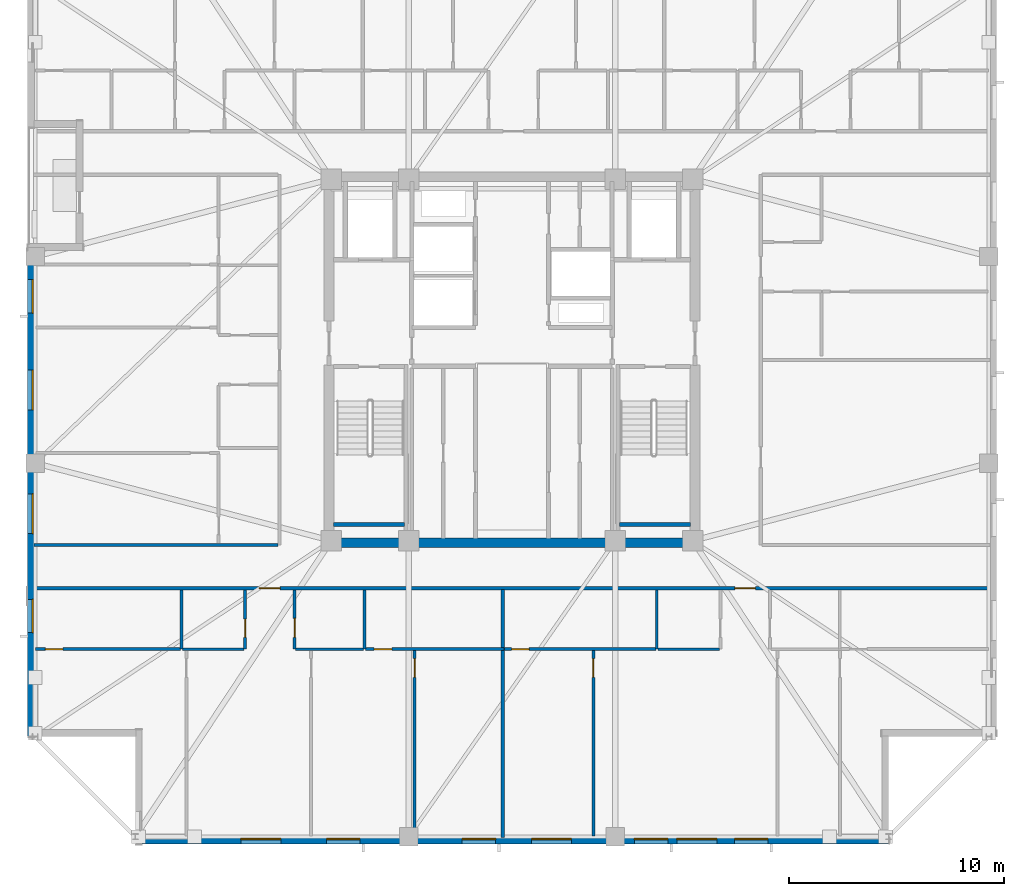
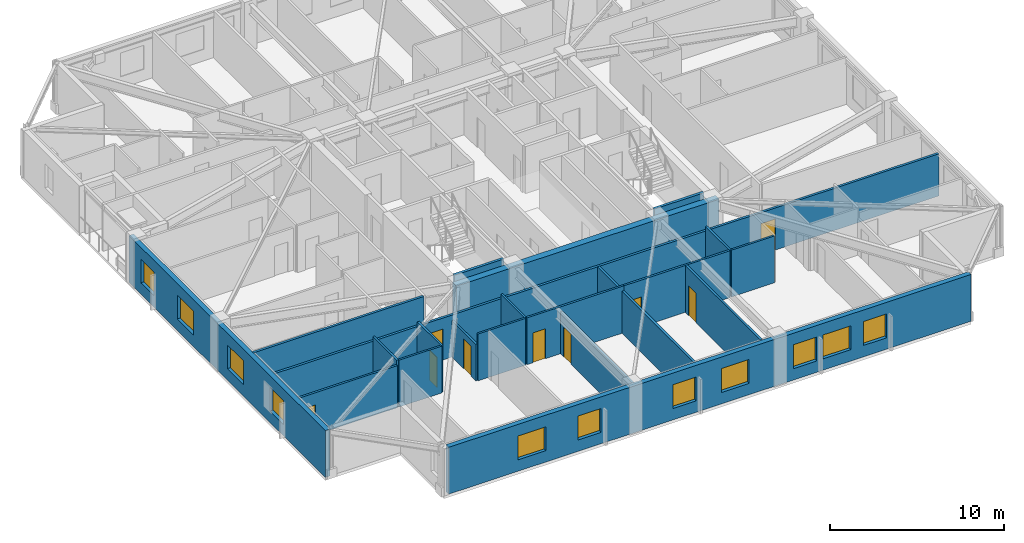
# One storey, part 7 of 17: 21 walls, 11 windows, 9 doors, 20 openings.
"""IFC4 building model written with IfcOpenShell, lengths in metres."""

from ifc_helpers import new_model, si_unit, direction, frame, frame_2d, origin, place, context, subcontext, project, spatial, rectangle, extrude, material, layer, layer_set, type_object, element, fill, save


model = new_model("IFC4")

# Units and contexts
model_context = context("Model", 3, precision=1e-05, world=origin(), true_north=direction((0.0, 1.0)))
body_context = subcontext(model_context, "Body", "Model", "MODEL_VIEW")
ifc_project = project(units=[si_unit("LENGTHUNIT", "METRE"), si_unit("AREAUNIT", "SQUARE_METRE"), si_unit("VOLUMEUNIT", "CUBIC_METRE"), si_unit("PLANEANGLEUNIT", "RADIAN"), si_unit("MASSUNIT", "GRAM", prefix="KILO")], contexts=[model_context])

# Site, building, storey
site_placement = place(None, origin())
site = spatial("IfcSite", under=ifc_project, at=site_placement, CompositionType="ELEMENT")
building_placement = place(site_placement, origin())
building = spatial("IfcBuilding", under=site, at=building_placement, Name="Cairnveth Concourse Tower", CompositionType="ELEMENT")
storey_placement = place(building_placement, frame((0.0, 0.0, 227.0)))
storey = spatial("IfcBuildingStorey", under=building, at=storey_placement, Name="L62", CompositionType="ELEMENT", Elevation=227.0)

# Wall, openings, doors
ifc_material_1 = material(Name="Gypsum Plasterboard Partition", Category="gypsum")
ifc_layer_1 = layer(ifc_material_1, 0.159912109375)
ifc_layer_set_1 = layer_set([ifc_layer_1], Name="Gypsum Plasterboard Partition")
wall_type_1 = type_object("IfcWallType", Name="ACOUSTIC PARTY WALL 180", PredefinedType="PARTITIONING", material=ifc_layer_set_1)
wall_1_placement = place(storey_placement, frame((29.804931640625, 28.387451171875, 0.0), z_axis=(0.0, 0.0, 1.0), x_axis=(1.0, 0.0, 0.0)))
wall_1 = element("IfcWall", 1, at=wall_1_placement, inside=storey, type_object=wall_type_1, Name="Interior Wall IW-L62-036", PredefinedType="PARTITIONING", context=body_context, shape_type="SweptSolid", body=[
    extrude(rectangle(XDim=44.39013671875, YDim=0.159912109375, at=frame_2d((22.195068359375, 0.0))), origin(), (0.0, 0.0, 1.0), 2.9580078125),
])
opening_1_placement = place(wall_1_placement, frame((10.463623046875, 0.0, 0.0)))
opening_1 = element("IfcOpeningElement", 2, at=opening_1_placement, cuts=wall_1, Name="Opening ID10", PredefinedType="OPENING", context=body_context, shape_type="SweptSolid", body=[
    extrude(rectangle(XDim=0.9599609375, YDim=2.179931640625, at=frame_2d((0.47998046875, 1.08984375))), frame((0.0, 0.08984375, 0.0), z_axis=(0.0, -1.0, 0.0), x_axis=(1.0, 0.0, 0.0)), (0.0, 0.0, 1.0), 0.179931640625),
])
opening_2_placement = place(wall_1_placement, frame((32.543701171875, 0.0, 0.0)))
opening_2 = element("IfcOpeningElement", 3, at=opening_2_placement, cuts=wall_1, Name="Opening ID10", PredefinedType="OPENING", context=body_context, shape_type="SweptSolid", body=[
    extrude(rectangle(XDim=0.9599609375, YDim=2.179931640625, at=frame_2d((0.47998046875, 1.08984375))), frame((0.0, 0.08984375, 0.0), z_axis=(0.0, -1.0, 0.0), x_axis=(1.0, 0.0, 0.0)), (0.0, 0.0, 1.0), 0.179931640625),
])
ifc_material_2 = material(Name="Solid Core Hardwood Timber Leaf", Category="wood")
door_type_1 = type_object("IfcDoorType", Name="FLAT ENTRANCE DOOR 960X2150", OperationType="NOTDEFINED", PredefinedType="DOOR", material=ifc_material_2)
door_1_placement = place(opening_1_placement, origin())
door_1 = element("IfcDoor", 4, at=door_1_placement, inside=storey, type_object=door_type_1, Name="Apartment L62S1 Entrance Door", OperationType="SINGLE_SWING_RIGHT", OverallHeight=2.179931640625, OverallWidth=0.9599609375, PredefinedType="DOOR", context=body_context, shape_type="SweptSolid", body=[
    extrude(rectangle(XDim=0.9599609375, YDim=2.179931640625, at=frame_2d((0.47998046875, 1.08984375))), frame((0.0, 0.02490234375, 0.0), z_axis=(0.0, -1.0, 0.0), x_axis=(1.0, 0.0, 0.0)), (0.0, 0.0, 1.0), 0.050048828125),
])
fill(opening_1, door_1)
door_2_placement = place(opening_2_placement, origin())
door_2 = element("IfcDoor", 5, at=door_2_placement, inside=storey, type_object=door_type_1, Name="Apartment L62S2 Entrance Door", OperationType="SINGLE_SWING_RIGHT", OverallHeight=2.179931640625, OverallWidth=0.9599609375, PredefinedType="DOOR", context=body_context, shape_type="SweptSolid", body=[
    extrude(rectangle(XDim=0.9599609375, YDim=2.179931640625, at=frame_2d((0.47998046875, 1.08984375))), frame((0.0, 0.02490234375, 0.0), z_axis=(0.0, -1.0, 0.0), x_axis=(1.0, 0.0, 0.0)), (0.0, 0.0, 1.0), 0.050048828125),
])
fill(opening_2, door_2)

# Walls
wall_2_placement = place(storey_placement, frame((29.804931640625, 30.39990234375, 0.0), z_axis=(0.0, 0.0, 1.0), x_axis=(1.0, 0.0, 0.0)))
element("IfcWall", 6, at=wall_2_placement, inside=storey, type_object=wall_type_1, Name="Interior Wall IW-L62-040", PredefinedType="PARTITIONING", context=body_context, shape_type="SweptSolid", body=[
    extrude(rectangle(XDim=11.330078125, YDim=0.159912109375, at=frame_2d((5.6650390625, 0.0))), origin(), (0.0, 0.0, 1.0), 3.2900390625),
])
wall_3_placement = place(storey_placement, frame((51.577392578125, 16.804931640625, 0.0), z_axis=(0.0, 0.0, 1.0), x_axis=(0.0, 1.0, 0.0)))
element("IfcWall", 7, at=wall_3_placement, inside=storey, type_object=wall_type_1, Name="Interior Wall IW-L62-055", PredefinedType="PARTITIONING", context=body_context, shape_type="SweptSolid", body=[
    extrude(rectangle(XDim=11.517578125, YDim=0.159912109375, at=frame_2d((5.7587890625, 0.0))), origin(), (0.0, 0.0, 1.0), 2.9580078125),
])
ifc_material_3 = material(Name="Concrete N65 (65 MPa)", Category="concrete")
ifc_layer_2 = layer(ifc_material_3, 0.449951171875)
ifc_layer_set_2 = layer_set([ifc_layer_2], Name="Concrete N65 (65 MPa)")
wall_type_2 = type_object("IfcWallType", Name="CORE SHEAR WALL 450", PredefinedType="SHEAR", material=ifc_layer_set_2)
wall_4_placement = place(storey_placement, frame((43.27490234375, 30.5, 0.0), z_axis=(0.0, 0.0, 1.0), x_axis=(1.0, 0.0, 0.0)))
element("IfcWall", 8, at=wall_4_placement, inside=storey, type_object=wall_type_2, Name="Core South Shear Wall L62", PredefinedType="SHEAR", context=body_context, shape_type="SweptSolid", body=[
    extrude(rectangle(XDim=17.4501953125, YDim=0.449951171875, at=frame_2d((8.72509765625, 0.0))), origin(), (0.0, 0.0, 1.0), 3.2900390625),
])
ifc_material_4 = material(Name="Concrete N50 (50 MPa)", Category="concrete")
ifc_layer_3 = layer(ifc_material_4, 0.179931640625)
ifc_layer_set_3 = layer_set([ifc_layer_3], Name="Concrete N50 (50 MPa)")
wall_type_3 = type_object("IfcWallType", Name="FIRE SHAFT WALL 180", PredefinedType="SOLIDWALL", material=ifc_layer_set_3)
for number, where, z_axis, x_axis, name in (
    (9, (43.715087890625, 31.360107421875, 0.0), (0.0, 0.0, 1.0), (1.0, 0.0, 0.0), "Stair ST-1 Shaft Wall FAR L62"),
    (10, (57.0048828125, 31.360107421875, 0.0), (0.0, 0.0, 1.0), (1.0, 0.0, 0.0), "Stair ST-2 Shaft Wall FAR L62"),
):
    element("IfcWall", number, at=place(storey_placement, frame(where, z_axis=z_axis, x_axis=x_axis)), inside=storey, type_object=wall_type_3, Name=name, PredefinedType="SOLIDWALL", context=body_context, shape_type="SweptSolid", body=[
        extrude(rectangle(XDim=3.280029296875, YDim=0.179931640625, at=frame_2d((1.64013671875, 0.0))), origin(), (0.0, 0.0, 1.0), 3.2900390625),
    ])

# Wall, opening, door
ifc_layer_4 = layer(ifc_material_1, 0.139892578125)
ifc_layer_set_4 = layer_set([ifc_layer_4], Name="Gypsum Plasterboard Partition")
wall_type_4 = type_object("IfcWallType", Name="GYPSUM STUD PARTITION 140", PredefinedType="PARTITIONING", material=ifc_layer_set_4)
wall_5_placement = place(storey_placement, frame((29.8701171875, 25.5576171875, 0.0), z_axis=(0.0, 0.0, 1.0), x_axis=(1.0, 0.0, 0.0)))
wall_5 = element("IfcWall", 11, at=wall_5_placement, inside=storey, type_object=wall_type_4, Name="Interior Wall IW-L62-051", PredefinedType="PARTITIONING", context=body_context, shape_type="SweptSolid", body=[
    extrude(rectangle(XDim=6.728759765625, YDim=0.139892578125, at=frame_2d((3.3642578125, 0.0))), origin(), (0.0, 0.0, 1.0), 2.9580078125),
])
opening_3_placement = place(wall_5_placement, frame((0.449951171875, 0.0, 0.0)))
opening_3 = element("IfcOpeningElement", 12, at=opening_3_placement, cuts=wall_5, Name="Opening ID22", PredefinedType="OPENING", context=body_context, shape_type="SweptSolid", body=[
    extrude(rectangle(XDim=0.820068359375, YDim=2.10009765625, at=frame_2d((0.41015625, 1.050048828125))), frame((0.0, 0.079833984375, 0.0), z_axis=(0.0, -1.0, 0.0), x_axis=(1.0, 0.0, 0.0)), (0.0, 0.0, 1.0), 0.159912109375),
])
door_type_2 = type_object("IfcDoorType", Name="INTERIOR WC DOOR 820X2100", OperationType="NOTDEFINED", PredefinedType="DOOR", material=ifc_material_2)
door_3_placement = place(opening_3_placement, origin())
door_3 = element("IfcDoor", 13, at=door_3_placement, inside=storey, type_object=door_type_2, Name="L62S1 Dressing Door", OperationType="SINGLE_SWING_LEFT", OverallHeight=2.10009765625, OverallWidth=0.820068359375, PredefinedType="DOOR", context=body_context, shape_type="SweptSolid", body=[
    extrude(rectangle(XDim=0.820068359375, YDim=2.10009765625, at=frame_2d((0.41015625, 1.050048828125))), frame((0.0, 0.02490234375, 0.0), z_axis=(0.0, -1.0, 0.0), x_axis=(1.0, 0.0, 0.0)), (0.0, 0.0, 1.0), 0.050048828125),
])
fill(opening_3, door_3)

wall_6_placement = place(storey_placement, frame((47.4775390625, 16.8798828125, 0.0), z_axis=(0.0, 0.0, 1.0), x_axis=(0.0, 1.0, 0.0)))
wall_6 = element("IfcWall", 14, at=wall_6_placement, inside=storey, type_object=wall_type_4, Name="Interior Wall IW-L62-052", PredefinedType="PARTITIONING", context=body_context, shape_type="SweptSolid", body=[
    extrude(rectangle(XDim=8.717529296875, YDim=0.139892578125, at=frame_2d((4.35888671875, 0.0))), origin(), (0.0, 0.0, 1.0), 2.9580078125),
])
opening_4_placement = place(wall_6_placement, frame((7.367431640625, 0.0, 0.0)))
opening_4 = element("IfcOpeningElement", 15, at=opening_4_placement, cuts=wall_6, Name="Opening ID18", PredefinedType="OPENING", context=body_context, shape_type="SweptSolid", body=[
    extrude(rectangle(XDim=0.8798828125, YDim=2.10009765625, at=frame_2d((0.43994140625, 1.050048828125))), frame((0.0, 0.079833984375, 0.0), z_axis=(0.0, -1.0, 0.0), x_axis=(1.0, 0.0, 0.0)), (0.0, 0.0, 1.0), 0.159912109375),
])
door_type_3 = type_object("IfcDoorType", Name="INTERIOR SINGLE DOOR 880X2100", OperationType="NOTDEFINED", PredefinedType="DOOR", material=ifc_material_2)
door_4_placement = place(opening_4_placement, origin())
door_4 = element("IfcDoor", 16, at=door_4_placement, inside=storey, type_object=door_type_3, Name="L62S1 Bedroom 2 Door", OperationType="SINGLE_SWING_RIGHT", OverallHeight=2.10009765625, OverallWidth=0.8798828125, PredefinedType="DOOR", context=body_context, shape_type="SweptSolid", body=[
    extrude(rectangle(XDim=0.8798828125, YDim=2.10009765625, at=frame_2d((0.43994140625, 1.050048828125))), frame((0.0, 0.02490234375, 0.0), z_axis=(0.0, -1.0, 0.0), x_axis=(1.0, 0.0, 0.0)), (0.0, 0.0, 1.0), 0.050048828125),
])
fill(opening_4, door_4)

wall_7_placement = place(storey_placement, frame((45.19873046875, 25.5576171875, 0.0), z_axis=(0.0, 0.0, 1.0), x_axis=(1.0, 0.0, 0.0)))
wall_7 = element("IfcWall", 17, at=wall_7_placement, inside=storey, type_object=wall_type_4, Name="Interior Wall IW-L62-053", PredefinedType="PARTITIONING", context=body_context, shape_type="SweptSolid", body=[
    extrude(rectangle(XDim=6.4287109375, YDim=0.139892578125, at=frame_2d((3.21435546875, 0.0))), origin(), (0.0, 0.0, 1.0), 3.2900390625),
])
opening_5_placement = place(wall_7_placement, frame((0.39990234375, 0.0, 0.0)))
opening_5 = element("IfcOpeningElement", 18, at=opening_5_placement, cuts=wall_7, Name="Opening ID22", PredefinedType="OPENING", context=body_context, shape_type="SweptSolid", body=[
    extrude(rectangle(XDim=0.820068359375, YDim=2.10009765625, at=frame_2d((0.41015625, 1.050048828125))), frame((0.0, 0.079833984375, 0.0), z_axis=(0.0, -1.0, 0.0), x_axis=(1.0, 0.0, 0.0)), (0.0, 0.0, 1.0), 0.159912109375),
])
door_5_placement = place(opening_5_placement, origin())
door_5 = element("IfcDoor", 19, at=door_5_placement, inside=storey, type_object=door_type_2, Name="L62S1 Utility Door", OperationType="SINGLE_SWING_LEFT", OverallHeight=2.10009765625, OverallWidth=0.820068359375, PredefinedType="DOOR", context=body_context, shape_type="SweptSolid", body=[
    extrude(rectangle(XDim=0.820068359375, YDim=2.10009765625, at=frame_2d((0.41015625, 1.050048828125))), frame((0.0, 0.02490234375, 0.0), z_axis=(0.0, -1.0, 0.0), x_axis=(1.0, 0.0, 0.0)), (0.0, 0.0, 1.0), 0.050048828125),
])
fill(opening_5, door_5)

wall_8_placement = place(storey_placement, frame((55.777587890625, 16.8798828125, 0.0), z_axis=(0.0, 0.0, 1.0), x_axis=(0.0, 1.0, 0.0)))
wall_8 = element("IfcWall", 20, at=wall_8_placement, inside=storey, type_object=wall_type_4, Name="Interior Wall IW-L62-062", PredefinedType="PARTITIONING", context=body_context, shape_type="SweptSolid", body=[
    extrude(rectangle(XDim=8.717529296875, YDim=0.139892578125, at=frame_2d((4.35888671875, 0.0))), origin(), (0.0, 0.0, 1.0), 3.2900390625),
])
opening_6_placement = place(wall_8_placement, frame((7.367431640625, 0.0, 0.0)))
opening_6 = element("IfcOpeningElement", 21, at=opening_6_placement, cuts=wall_8, Name="Opening ID18", PredefinedType="OPENING", context=body_context, shape_type="SweptSolid", body=[
    extrude(rectangle(XDim=0.8798828125, YDim=2.10009765625, at=frame_2d((0.43994140625, 1.050048828125))), frame((0.0, 0.079833984375, 0.0), z_axis=(0.0, -1.0, 0.0), x_axis=(1.0, 0.0, 0.0)), (0.0, 0.0, 1.0), 0.159912109375),
])
door_6_placement = place(opening_6_placement, origin())
door_6 = element("IfcDoor", 22, at=door_6_placement, inside=storey, type_object=door_type_3, Name="L62S2 Master Bedroom Door", OperationType="SINGLE_SWING_RIGHT", OverallHeight=2.10009765625, OverallWidth=0.8798828125, PredefinedType="DOOR", context=body_context, shape_type="SweptSolid", body=[
    extrude(rectangle(XDim=0.8798828125, YDim=2.10009765625, at=frame_2d((0.43994140625, 1.050048828125))), frame((0.0, 0.02490234375, 0.0), z_axis=(0.0, -1.0, 0.0), x_axis=(1.0, 0.0, 0.0)), (0.0, 0.0, 1.0), 0.050048828125),
])
fill(opening_6, door_6)

wall_9_placement = place(storey_placement, frame((51.642578125, 25.5576171875, 0.0), z_axis=(0.0, 0.0, 1.0), x_axis=(1.0, 0.0, 0.0)))
wall_9 = element("IfcWall", 23, at=wall_9_placement, inside=storey, type_object=wall_type_4, Name="Interior Wall IW-L62-063", PredefinedType="PARTITIONING", context=body_context, shape_type="SweptSolid", body=[
    extrude(rectangle(XDim=7.0361328125, YDim=0.139892578125, at=frame_2d((3.51806640625, 0.0))), origin(), (0.0, 0.0, 1.0), 3.2900390625),
])
opening_7_placement = place(wall_9_placement, frame((0.3349609375, 0.0, 0.0)))
opening_7 = element("IfcOpeningElement", 24, at=opening_7_placement, cuts=wall_9, Name="Opening ID22", PredefinedType="OPENING", context=body_context, shape_type="SweptSolid", body=[
    extrude(rectangle(XDim=0.820068359375, YDim=2.10009765625, at=frame_2d((0.41015625, 1.050048828125))), frame((0.0, 0.079833984375, 0.0), z_axis=(0.0, -1.0, 0.0), x_axis=(1.0, 0.0, 0.0)), (0.0, 0.0, 1.0), 0.159912109375),
])
door_7_placement = place(opening_7_placement, origin())
door_7 = element("IfcDoor", 25, at=door_7_placement, inside=storey, type_object=door_type_2, Name="L62S2 Dressing Door", OperationType="SINGLE_SWING_LEFT", OverallHeight=2.10009765625, OverallWidth=0.820068359375, PredefinedType="DOOR", context=body_context, shape_type="SweptSolid", body=[
    extrude(rectangle(XDim=0.820068359375, YDim=2.10009765625, at=frame_2d((0.41015625, 1.050048828125))), frame((0.0, 0.02490234375, 0.0), z_axis=(0.0, -1.0, 0.0), x_axis=(1.0, 0.0, 0.0)), (0.0, 0.0, 1.0), 0.050048828125),
])
fill(opening_7, door_7)

# Wall
ifc_layer_5 = layer(ifc_material_1, 0.1298828125)
ifc_layer_set_5 = layer_set([ifc_layer_5], Name="Gypsum Plasterboard Partition")
wall_type_5 = type_object("IfcWallType", Name="WET AREA PARTITION 140", PredefinedType="PLUMBINGWALL", material=ifc_layer_set_5)
wall_10_placement = place(storey_placement, frame((36.648681640625, 25.5576171875, 0.0), z_axis=(0.0, 0.0, 1.0), x_axis=(0.0, 1.0, 0.0)))
element("IfcWall", 26, at=wall_10_placement, inside=storey, type_object=wall_type_5, Name="Interior Wall IW-L62-044", PredefinedType="PLUMBINGWALL", context=body_context, shape_type="SweptSolid", body=[
    extrude(rectangle(XDim=2.75, YDim=0.1298828125, at=frame_2d((1.375, 0.0))), origin(), (0.0, 0.0, 1.0), 3.2900390625),
])

# Wall, opening, door
wall_11_placement = place(storey_placement, frame((39.598876953125, 25.5576171875, 0.0), z_axis=(0.0, 0.0, 1.0), x_axis=(0.0, 1.0, 0.0)))
wall_11 = element("IfcWall", 27, at=wall_11_placement, inside=storey, type_object=wall_type_5, Name="Interior Wall IW-L62-045", PredefinedType="PLUMBINGWALL", context=body_context, shape_type="SweptSolid", body=[
    extrude(rectangle(XDim=2.75, YDim=0.1298828125, at=frame_2d((1.375, 0.0))), origin(), (0.0, 0.0, 1.0), 3.2900390625),
])
opening_8_placement = place(wall_11_placement, frame((0.550048828125, 0.0, 0.0)))
opening_8 = element("IfcOpeningElement", 28, at=opening_8_placement, cuts=wall_11, Name="Opening ID21", PredefinedType="OPENING", context=body_context, shape_type="SweptSolid", body=[
    extrude(rectangle(XDim=0.85009765625, YDim=2.080078125, at=frame_2d((0.425048828125, 1.0400390625))), frame((0.0, 0.074951171875, 0.0), z_axis=(0.0, -1.0, 0.0), x_axis=(1.0, 0.0, 0.0)), (0.0, 0.0, 1.0), 0.14990234375),
])
door_type_4 = type_object("IfcDoorType", Name="INTERIOR WC DOOR 850X2100", OperationType="NOTDEFINED", PredefinedType="DOOR", material=ifc_material_2)
door_8_placement = place(opening_8_placement, origin())
door_8 = element("IfcDoor", 29, at=door_8_placement, inside=storey, type_object=door_type_4, Name="L62S1 Bathroom Door", OperationType="SINGLE_SWING_LEFT", OverallHeight=2.080078125, OverallWidth=0.85009765625, PredefinedType="DOOR", context=body_context, shape_type="SweptSolid", body=[
    extrude(rectangle(XDim=0.85009765625, YDim=2.080078125, at=frame_2d((0.425048828125, 1.0400390625))), frame((0.0, 0.02490234375, 0.0), z_axis=(0.0, -1.0, 0.0), x_axis=(1.0, 0.0, 0.0)), (0.0, 0.0, 1.0), 0.050048828125),
])
fill(opening_8, door_8)

# Walls
wall_12_placement = place(storey_placement, frame((36.69873046875, 25.5576171875, 0.0), z_axis=(0.0, 0.0, 1.0), x_axis=(1.0, 0.0, 0.0)))
element("IfcWall", 30, at=wall_12_placement, inside=storey, type_object=wall_type_5, Name="Interior Wall IW-L62-046", PredefinedType="PLUMBINGWALL", context=body_context, shape_type="SweptSolid", body=[
    extrude(rectangle(XDim=2.85009765625, YDim=0.1298828125, at=frame_2d((1.425048828125, 0.0))), origin(), (0.0, 0.0, 1.0), 3.2900390625),
])
wall_13_placement = place(storey_placement, frame((45.148681640625, 25.5576171875, 0.0), z_axis=(0.0, 0.0, 1.0), x_axis=(0.0, 1.0, 0.0)))
element("IfcWall", 31, at=wall_13_placement, inside=storey, type_object=wall_type_5, Name="Interior Wall IW-L62-047", PredefinedType="PLUMBINGWALL", context=body_context, shape_type="SweptSolid", body=[
    extrude(rectangle(XDim=2.75, YDim=0.1298828125, at=frame_2d((1.375, 0.0))), origin(), (0.0, 0.0, 1.0), 3.2900390625),
])

# Wall, opening, door
wall_14_placement = place(storey_placement, frame((41.898681640625, 25.5576171875, 0.0), z_axis=(0.0, 0.0, 1.0), x_axis=(0.0, 1.0, 0.0)))
wall_14 = element("IfcWall", 32, at=wall_14_placement, inside=storey, type_object=wall_type_5, Name="Interior Wall IW-L62-048", PredefinedType="PLUMBINGWALL", context=body_context, shape_type="SweptSolid", body=[
    extrude(rectangle(XDim=2.75, YDim=0.1298828125, at=frame_2d((1.375, 0.0))), origin(), (0.0, 0.0, 1.0), 2.572998046875),
])
opening_9_placement = place(wall_14_placement, frame((0.550048828125, 0.0, 0.0)))
opening_9 = element("IfcOpeningElement", 33, at=opening_9_placement, cuts=wall_14, Name="Opening ID18", PredefinedType="OPENING", context=body_context, shape_type="SweptSolid", body=[
    extrude(rectangle(XDim=0.8798828125, YDim=2.10009765625, at=frame_2d((0.43994140625, 1.050048828125))), frame((0.0, 0.074951171875, 0.0), z_axis=(0.0, -1.0, 0.0), x_axis=(1.0, 0.0, 0.0)), (0.0, 0.0, 1.0), 0.14990234375),
])
door_9_placement = place(opening_9_placement, origin())
door_9 = element("IfcDoor", 34, at=door_9_placement, inside=storey, type_object=door_type_3, Name="L62S1 Kitchen Door", OperationType="SINGLE_SWING_RIGHT", OverallHeight=2.10009765625, OverallWidth=0.8798828125, PredefinedType="DOOR", context=body_context, shape_type="SweptSolid", body=[
    extrude(rectangle(XDim=0.8798828125, YDim=2.10009765625, at=frame_2d((0.43994140625, 1.050048828125))), frame((0.0, 0.02490234375, 0.0), z_axis=(0.0, -1.0, 0.0), x_axis=(1.0, 0.0, 0.0)), (0.0, 0.0, 1.0), 0.050048828125),
])
fill(opening_9, door_9)

# Walls
wall_15_placement = place(storey_placement, frame((41.94873046875, 25.5576171875, 0.0), z_axis=(0.0, 0.0, 1.0), x_axis=(1.0, 0.0, 0.0)))
element("IfcWall", 35, at=wall_15_placement, inside=storey, type_object=wall_type_5, Name="Interior Wall IW-L62-049", PredefinedType="PLUMBINGWALL", context=body_context, shape_type="SweptSolid", body=[
    extrude(rectangle(XDim=3.14990234375, YDim=0.1298828125, at=frame_2d((1.574951171875, 0.0))), origin(), (0.0, 0.0, 1.0), 3.2900390625),
])
wall_16_placement = place(storey_placement, frame((58.728759765625, 25.5576171875, 0.0), z_axis=(0.0, 0.0, 1.0), x_axis=(0.0, 1.0, 0.0)))
element("IfcWall", 36, at=wall_16_placement, inside=storey, type_object=wall_type_5, Name="Interior Wall IW-L62-056", PredefinedType="PLUMBINGWALL", context=body_context, shape_type="SweptSolid", body=[
    extrude(rectangle(XDim=2.75, YDim=0.1298828125, at=frame_2d((1.375, 0.0))), origin(), (0.0, 0.0, 1.0), 3.2900390625),
])
wall_17_placement = place(storey_placement, frame((58.77880859375, 25.5576171875, 0.0), z_axis=(0.0, 0.0, 1.0), x_axis=(1.0, 0.0, 0.0)))
element("IfcWall", 37, at=wall_17_placement, inside=storey, type_object=wall_type_5, Name="Interior Wall IW-L62-058", PredefinedType="PLUMBINGWALL", context=body_context, shape_type="SweptSolid", body=[
    extrude(rectangle(XDim=2.85009765625, YDim=0.1298828125, at=frame_2d((1.425048828125, 0.0))), origin(), (0.0, 0.0, 1.0), 3.2900390625),
])

# Wall, openings, windows
ifc_material_5 = material(Name="Melbourne Buff Fired Clay Brick Masonry", Category="masonry")
ifc_layer_6 = layer(ifc_material_5, 0.320068359375)
ifc_layer_set_6 = layer_set([ifc_layer_6], Name="Melbourne Buff Fired Clay Brick Masonry")
wall_type_6 = type_object("IfcWallType", Name="ZONE 3 BRICK PIER SPANDREL WALL 320", PredefinedType="SOLIDWALL", material=ifc_layer_set_6)
wall_18_placement = place(storey_placement, frame((69.5, 16.659912109375, 0.0), z_axis=(0.0, 0.0, 1.0), x_axis=(-1.0, 0.0, 0.0)))
wall_18 = element("IfcWall", 38, at=wall_18_placement, inside=storey, type_object=wall_type_6, Name="Exterior Wall EW-L62-S09", PredefinedType="SOLIDWALL", context=body_context, shape_type="SweptSolid", body=[
    extrude(rectangle(XDim=34.701904296875, YDim=0.320068359375, at=frame_2d((17.35107421875, 0.0))), origin(), (0.0, 0.0, 1.0), 3.2900390625),
])
opening_10_placement = place(wall_18_placement, frame((5.612548828125, 0.0, 0.800048828125)))
opening_10 = element("IfcOpeningElement", 39, at=opening_10_placement, cuts=wall_18, Name="Opening W07", PredefinedType="OPENING", context=body_context, shape_type="SweptSolid", body=[
    extrude(rectangle(XDim=1.550048828125, YDim=1.677978515625, at=frame_2d((0.77490234375, 0.8388671875))), frame((0.0, 0.169921875, 0.0), z_axis=(0.0, -1.0, 0.0), x_axis=(1.0, 0.0, 0.0)), (0.0, 0.0, 1.0), 0.340087890625),
])
opening_11_placement = place(wall_18_placement, frame((7.98779296875, 0.0, 0.800048828125)))
opening_11 = element("IfcOpeningElement", 40, at=opening_11_placement, cuts=wall_18, Name="Opening W08", PredefinedType="OPENING", context=body_context, shape_type="SweptSolid", body=[
    extrude(rectangle(XDim=1.85009765625, YDim=1.677978515625, at=frame_2d((0.925048828125, 0.8388671875))), frame((0.0, 0.169921875, 0.0), z_axis=(0.0, -1.0, 0.0), x_axis=(1.0, 0.0, 0.0)), (0.0, 0.0, 1.0), 0.340087890625),
])
opening_12_placement = place(wall_18_placement, frame((10.26318359375, 0.0, 0.800048828125)))
opening_12 = element("IfcOpeningElement", 41, at=opening_12_placement, cuts=wall_18, Name="Opening W07", PredefinedType="OPENING", context=body_context, shape_type="SweptSolid", body=[
    extrude(rectangle(XDim=1.550048828125, YDim=1.677978515625, at=frame_2d((0.77490234375, 0.8388671875))), frame((0.0, 0.169921875, 0.0), z_axis=(0.0, -1.0, 0.0), x_axis=(1.0, 0.0, 0.0)), (0.0, 0.0, 1.0), 0.340087890625),
])
opening_13_placement = place(wall_18_placement, frame((14.73828125, 0.0, 0.800048828125)))
opening_13 = element("IfcOpeningElement", 42, at=opening_13_placement, cuts=wall_18, Name="Opening W08", PredefinedType="OPENING", context=body_context, shape_type="SweptSolid", body=[
    extrude(rectangle(XDim=1.85009765625, YDim=1.677978515625, at=frame_2d((0.925048828125, 0.8388671875))), frame((0.0, 0.169921875, 0.0), z_axis=(0.0, -1.0, 0.0), x_axis=(1.0, 0.0, 0.0)), (0.0, 0.0, 1.0), 0.340087890625),
])
opening_14_placement = place(wall_18_placement, frame((18.263671875, 0.0, 0.800048828125)))
opening_14 = element("IfcOpeningElement", 43, at=opening_14_placement, cuts=wall_18, Name="Opening W07", PredefinedType="OPENING", context=body_context, shape_type="SweptSolid", body=[
    extrude(rectangle(XDim=1.550048828125, YDim=1.677978515625, at=frame_2d((0.77490234375, 0.8388671875))), frame((0.0, 0.169921875, 0.0), z_axis=(0.0, -1.0, 0.0), x_axis=(1.0, 0.0, 0.0)), (0.0, 0.0, 1.0), 0.340087890625),
])
opening_15_placement = place(wall_18_placement, frame((24.564208984375, 0.0, 0.800048828125)))
opening_15 = element("IfcOpeningElement", 44, at=opening_15_placement, cuts=wall_18, Name="Opening W07", PredefinedType="OPENING", context=body_context, shape_type="SweptSolid", body=[
    extrude(rectangle(XDim=1.550048828125, YDim=1.677978515625, at=frame_2d((0.77490234375, 0.8388671875))), frame((0.0, 0.169921875, 0.0), z_axis=(0.0, -1.0, 0.0), x_axis=(1.0, 0.0, 0.0)), (0.0, 0.0, 1.0), 0.340087890625),
])
opening_16_placement = place(wall_18_placement, frame((28.239501953125, 0.0, 0.800048828125)))
opening_16 = element("IfcOpeningElement", 45, at=opening_16_placement, cuts=wall_18, Name="Opening W08", PredefinedType="OPENING", context=body_context, shape_type="SweptSolid", body=[
    extrude(rectangle(XDim=1.85009765625, YDim=1.677978515625, at=frame_2d((0.925048828125, 0.8388671875))), frame((0.0, 0.169921875, 0.0), z_axis=(0.0, -1.0, 0.0), x_axis=(1.0, 0.0, 0.0)), (0.0, 0.0, 1.0), 0.340087890625),
])
ifc_material_6 = material(Name="Double Glazed Low-E Clear Glass", Category="glass")
window_type_1 = type_object("IfcWindowType", Name="DEEP-SET APARTMENT LIVING WINDOW 1850X1850", PartitioningType="DOUBLE_PANEL_VERTICAL", PredefinedType="WINDOW", material=ifc_material_6)
window_1_placement = place(opening_11_placement, origin())
window_1 = element("IfcWindow", 46, at=window_1_placement, inside=storey, type_object=window_type_1, Name="Gothic Lancet Window L62-9-2", OverallHeight=1.677978515625, OverallWidth=1.85009765625, PartitioningType="SINGLE_PANEL", PredefinedType="WINDOW", context=body_context, shape_type="SweptSolid", body=[
    extrude(rectangle(XDim=1.85009765625, YDim=1.677978515625, at=frame_2d((0.925048828125, 0.8388671875))), frame((0.0, -0.050048828125, 0.0), z_axis=(0.0, -1.0, 0.0), x_axis=(1.0, 0.0, 0.0)), (0.0, 0.0, 1.0), 0.06005859375),
])
fill(opening_11, window_1)
window_2_placement = place(opening_13_placement, origin())
window_2 = element("IfcWindow", 47, at=window_2_placement, inside=storey, type_object=window_type_1, Name="Gothic Lancet Window L62-9-4", OverallHeight=1.677978515625, OverallWidth=1.85009765625, PartitioningType="SINGLE_PANEL", PredefinedType="WINDOW", context=body_context, shape_type="SweptSolid", body=[
    extrude(rectangle(XDim=1.85009765625, YDim=1.677978515625, at=frame_2d((0.925048828125, 0.8388671875))), frame((0.0, -0.050048828125, 0.0), z_axis=(0.0, -1.0, 0.0), x_axis=(1.0, 0.0, 0.0)), (0.0, 0.0, 1.0), 0.06005859375),
])
fill(opening_13, window_2)
window_3_placement = place(opening_16_placement, origin())
window_3 = element("IfcWindow", 48, at=window_3_placement, inside=storey, type_object=window_type_1, Name="Gothic Lancet Window L62-9-8", OverallHeight=1.677978515625, OverallWidth=1.85009765625, PartitioningType="SINGLE_PANEL", PredefinedType="WINDOW", context=body_context, shape_type="SweptSolid", body=[
    extrude(rectangle(XDim=1.85009765625, YDim=1.677978515625, at=frame_2d((0.925048828125, 0.8388671875))), frame((0.0, -0.050048828125, 0.0), z_axis=(0.0, -1.0, 0.0), x_axis=(1.0, 0.0, 0.0)), (0.0, 0.0, 1.0), 0.06005859375),
])
fill(opening_16, window_3)
window_type_2 = type_object("IfcWindowType", Name="DEEP-SET APARTMENT WINDOW 1550X1800", PartitioningType="DOUBLE_PANEL_VERTICAL", PredefinedType="WINDOW", material=ifc_material_6)
window_4_placement = place(opening_10_placement, origin())
window_4 = element("IfcWindow", 49, at=window_4_placement, inside=storey, type_object=window_type_2, Name="Gothic Lancet Window L62-9-1", OverallHeight=1.677978515625, OverallWidth=1.550048828125, PartitioningType="SINGLE_PANEL", PredefinedType="WINDOW", context=body_context, shape_type="SweptSolid", body=[
    extrude(rectangle(XDim=1.550048828125, YDim=1.677978515625, at=frame_2d((0.77490234375, 0.8388671875))), frame((0.0, -0.050048828125, 0.0), z_axis=(0.0, -1.0, 0.0), x_axis=(1.0, 0.0, 0.0)), (0.0, 0.0, 1.0), 0.06005859375),
])
fill(opening_10, window_4)
window_5_placement = place(opening_12_placement, origin())
window_5 = element("IfcWindow", 50, at=window_5_placement, inside=storey, type_object=window_type_2, Name="Gothic Lancet Window L62-9-3", OverallHeight=1.677978515625, OverallWidth=1.550048828125, PartitioningType="SINGLE_PANEL", PredefinedType="WINDOW", context=body_context, shape_type="SweptSolid", body=[
    extrude(rectangle(XDim=1.550048828125, YDim=1.677978515625, at=frame_2d((0.77490234375, 0.8388671875))), frame((0.0, -0.050048828125, 0.0), z_axis=(0.0, -1.0, 0.0), x_axis=(1.0, 0.0, 0.0)), (0.0, 0.0, 1.0), 0.06005859375),
])
fill(opening_12, window_5)
window_6_placement = place(opening_14_placement, origin())
window_6 = element("IfcWindow", 51, at=window_6_placement, inside=storey, type_object=window_type_2, Name="Gothic Lancet Window L62-9-5", OverallHeight=1.677978515625, OverallWidth=1.550048828125, PartitioningType="SINGLE_PANEL", PredefinedType="WINDOW", context=body_context, shape_type="SweptSolid", body=[
    extrude(rectangle(XDim=1.550048828125, YDim=1.677978515625, at=frame_2d((0.77490234375, 0.8388671875))), frame((0.0, -0.050048828125, 0.0), z_axis=(0.0, -1.0, 0.0), x_axis=(1.0, 0.0, 0.0)), (0.0, 0.0, 1.0), 0.06005859375),
])
fill(opening_14, window_6)
window_7_placement = place(opening_15_placement, origin())
window_7 = element("IfcWindow", 52, at=window_7_placement, inside=storey, type_object=window_type_2, Name="Gothic Lancet Window L62-9-7", OverallHeight=1.677978515625, OverallWidth=1.550048828125, PartitioningType="SINGLE_PANEL", PredefinedType="WINDOW", context=body_context, shape_type="SweptSolid", body=[
    extrude(rectangle(XDim=1.550048828125, YDim=1.677978515625, at=frame_2d((0.77490234375, 0.8388671875))), frame((0.0, -0.050048828125, 0.0), z_axis=(0.0, -1.0, 0.0), x_axis=(1.0, 0.0, 0.0)), (0.0, 0.0, 1.0), 0.06005859375),
])
fill(opening_15, window_7)

wall_19_placement = place(storey_placement, frame((29.659912109375, 21.5, 0.0), z_axis=(0.0, 0.0, 1.0), x_axis=(0.0, 1.0, 0.0)))
wall_19 = element("IfcWall", 53, at=wall_19_placement, inside=storey, type_object=wall_type_6, Name="Exterior Wall EW-L62-S12", PredefinedType="SOLIDWALL", context=body_context, shape_type="SweptSolid", body=[
    extrude(rectangle(XDim=22.60205078125, YDim=0.320068359375, at=frame_2d((11.301025390625, 0.0))), origin(), (0.0, 0.0, 1.0), 3.2900390625),
])
opening_17_placement = place(wall_19_placement, frame((4.8251953125, 0.0, 0.800048828125)))
opening_17 = element("IfcOpeningElement", 54, at=opening_17_placement, cuts=wall_19, Name="Opening W07", PredefinedType="OPENING", context=body_context, shape_type="SweptSolid", body=[
    extrude(rectangle(XDim=1.550048828125, YDim=1.677978515625, at=frame_2d((0.77490234375, 0.8388671875))), frame((0.0, 0.169921875, 0.0), z_axis=(0.0, -1.0, 0.0), x_axis=(1.0, 0.0, 0.0)), (0.0, 0.0, 1.0), 0.340087890625),
])
opening_18_placement = place(wall_19_placement, frame((9.425537109375, 0.0, 0.800048828125)))
opening_18 = element("IfcOpeningElement", 55, at=opening_18_placement, cuts=wall_19, Name="Opening W08", PredefinedType="OPENING", context=body_context, shape_type="SweptSolid", body=[
    extrude(rectangle(XDim=1.85009765625, YDim=1.677978515625, at=frame_2d((0.925048828125, 0.8388671875))), frame((0.0, 0.169921875, 0.0), z_axis=(0.0, -1.0, 0.0), x_axis=(1.0, 0.0, 0.0)), (0.0, 0.0, 1.0), 0.340087890625),
])
opening_19_placement = place(wall_19_placement, frame((15.176513671875, 0.0, 0.800048828125)))
opening_19 = element("IfcOpeningElement", 56, at=opening_19_placement, cuts=wall_19, Name="Opening W08", PredefinedType="OPENING", context=body_context, shape_type="SweptSolid", body=[
    extrude(rectangle(XDim=1.85009765625, YDim=1.677978515625, at=frame_2d((0.925048828125, 0.8388671875))), frame((0.0, 0.169921875, 0.0), z_axis=(0.0, -1.0, 0.0), x_axis=(1.0, 0.0, 0.0)), (0.0, 0.0, 1.0), 0.340087890625),
])
opening_20_placement = place(wall_19_placement, frame((19.6767578125, 0.0, 0.800048828125)))
opening_20 = element("IfcOpeningElement", 57, at=opening_20_placement, cuts=wall_19, Name="Opening W07", PredefinedType="OPENING", context=body_context, shape_type="SweptSolid", body=[
    extrude(rectangle(XDim=1.550048828125, YDim=1.677978515625, at=frame_2d((0.77490234375, 0.8388671875))), frame((0.0, 0.169921875, 0.0), z_axis=(0.0, -1.0, 0.0), x_axis=(1.0, 0.0, 0.0)), (0.0, 0.0, 1.0), 0.340087890625),
])
window_8_placement = place(opening_18_placement, origin())
window_8 = element("IfcWindow", 58, at=window_8_placement, inside=storey, type_object=window_type_1, Name="Gothic Lancet Window L62-12-2", OverallHeight=1.677978515625, OverallWidth=1.85009765625, PartitioningType="SINGLE_PANEL", PredefinedType="WINDOW", context=body_context, shape_type="SweptSolid", body=[
    extrude(rectangle(XDim=1.85009765625, YDim=1.677978515625, at=frame_2d((0.925048828125, 0.8388671875))), frame((0.0, -0.050048828125, 0.0), z_axis=(0.0, -1.0, 0.0), x_axis=(1.0, 0.0, 0.0)), (0.0, 0.0, 1.0), 0.06005859375),
])
fill(opening_18, window_8)
window_9_placement = place(opening_19_placement, origin())
window_9 = element("IfcWindow", 59, at=window_9_placement, inside=storey, type_object=window_type_1, Name="Gothic Lancet Window L62-12-4", OverallHeight=1.677978515625, OverallWidth=1.85009765625, PartitioningType="SINGLE_PANEL", PredefinedType="WINDOW", context=body_context, shape_type="SweptSolid", body=[
    extrude(rectangle(XDim=1.85009765625, YDim=1.677978515625, at=frame_2d((0.925048828125, 0.8388671875))), frame((0.0, -0.050048828125, 0.0), z_axis=(0.0, -1.0, 0.0), x_axis=(1.0, 0.0, 0.0)), (0.0, 0.0, 1.0), 0.06005859375),
])
fill(opening_19, window_9)
window_10_placement = place(opening_17_placement, origin())
window_10 = element("IfcWindow", 60, at=window_10_placement, inside=storey, type_object=window_type_2, Name="Gothic Lancet Window L62-12-1", OverallHeight=1.677978515625, OverallWidth=1.550048828125, PartitioningType="SINGLE_PANEL", PredefinedType="WINDOW", context=body_context, shape_type="SweptSolid", body=[
    extrude(rectangle(XDim=1.550048828125, YDim=1.677978515625, at=frame_2d((0.77490234375, 0.8388671875))), frame((0.0, -0.050048828125, 0.0), z_axis=(0.0, -1.0, 0.0), x_axis=(1.0, 0.0, 0.0)), (0.0, 0.0, 1.0), 0.06005859375),
])
fill(opening_17, window_10)
window_11_placement = place(opening_20_placement, origin())
window_11 = element("IfcWindow", 61, at=window_11_placement, inside=storey, type_object=window_type_2, Name="Gothic Lancet Window L62-12-5", OverallHeight=1.677978515625, OverallWidth=1.550048828125, PartitioningType="SINGLE_PANEL", PredefinedType="WINDOW", context=body_context, shape_type="SweptSolid", body=[
    extrude(rectangle(XDim=1.550048828125, YDim=1.677978515625, at=frame_2d((0.77490234375, 0.8388671875))), frame((0.0, -0.050048828125, 0.0), z_axis=(0.0, -1.0, 0.0), x_axis=(1.0, 0.0, 0.0)), (0.0, 0.0, 1.0), 0.06005859375),
])
fill(opening_20, window_11)

save(model, "model.ifc")
